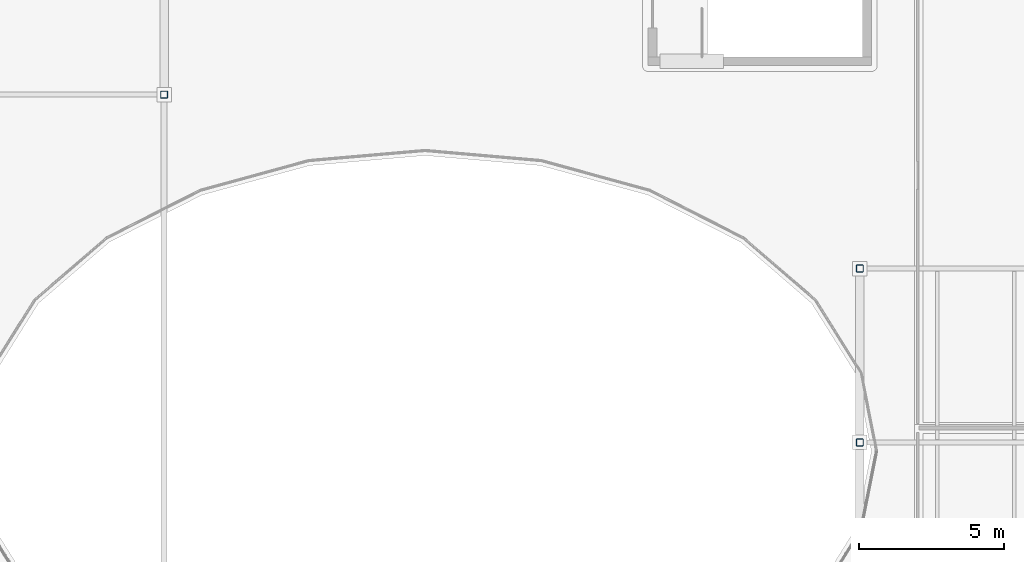
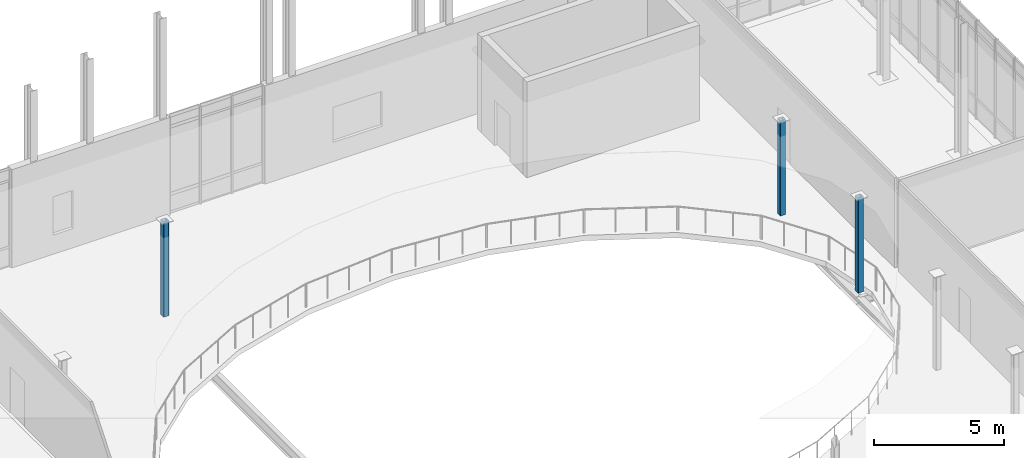
# One storey, part 5 of 86: 3 columns.
"""IFC4 building model written with IfcOpenShell, lengths in metres."""

from ifc_helpers import new_model, si_unit, direction, frame, origin, origin_2d, place, context, subcontext, project, spatial, hollow_rectangle, extrude, material, material_profile, profile_set, type_object, element, save


model = new_model("IFC4")

# Units and contexts
model_context = context("Model", 3, precision=1e-05, world=origin(), true_north=direction((0.0, 1.0)))
body_context = subcontext(model_context, "Body", "Model", "MODEL_VIEW")
ifc_project = project(units=[si_unit("LENGTHUNIT", "METRE"), si_unit("AREAUNIT", "SQUARE_METRE"), si_unit("VOLUMEUNIT", "CUBIC_METRE"), si_unit("PLANEANGLEUNIT", "RADIAN"), si_unit("MASSUNIT", "GRAM", prefix="KILO")], contexts=[model_context])

# Site, building, storey
site_placement = place(None, origin())
site = spatial("IfcSite", under=ifc_project, at=site_placement, CompositionType="ELEMENT")
building_placement = place(site_placement, origin())
building = spatial("IfcBuilding", under=site, at=building_placement, Name="Cymarion Research Institute", CompositionType="ELEMENT")
storey_placement = place(building_placement, frame((0.0, 0.0, 13.800048828125)))
storey = spatial("IfcBuildingStorey", under=building, at=storey_placement, Name="L03", CompositionType="ELEMENT", Elevation=13.800048828125)

# Columns
ifc_material = material(Name="Steel S355", Category="steel")
ifc_material_profile = material_profile(ifc_material, hollow_rectangle(XDim=0.25, YDim=0.25, WallThickness=0.012451171875, InnerFilletRadius=0.018798828125, OuterFilletRadius=0.03125, at=origin_2d()), Name="SHS 250x250x12.5")
ifc_profile_set = profile_set([ifc_material_profile], Name="Steel S355")
column_type = type_object("IfcColumnType", Name="STRUCTURAL COLUMN C15 SHS 250x250x12.5", PredefinedType="COLUMN", material=ifc_profile_set)
for number, where, z_axis, x_axis, name in (
    (1, (70.60009765625, 35.5, 0.0), (0.0, 0.0, 1.0), (1.0, 0.0, 0.0), "L03 V2 column C15 #943"),
    (2, (94.60009765625, 23.5, 0.0), (0.0, 0.0, 1.0), (1.0, 0.0, 0.0), "L03 V2 column C15 #963"),
    (3, (94.60009765625, 29.5, 0.0), (0.0, 0.0, 1.0), (1.0, 0.0, 0.0), "L03 V2 column C15 #964"),
):
    element("IfcColumn", number, at=place(storey_placement, frame(where, z_axis=z_axis, x_axis=x_axis)), inside=storey, type_object=column_type, Name=name, PredefinedType="COLUMN", context=body_context, shape_type="SweptSolid", body=[
        extrude(hollow_rectangle(XDim=0.25, YDim=0.25, WallThickness=0.012451171875, InnerFilletRadius=0.018798828125, OuterFilletRadius=0.03125, at=origin_2d()), origin(), (0.0, 0.0, 1.0), 4.469970703125),
    ])

save(model, "model.ifc")
